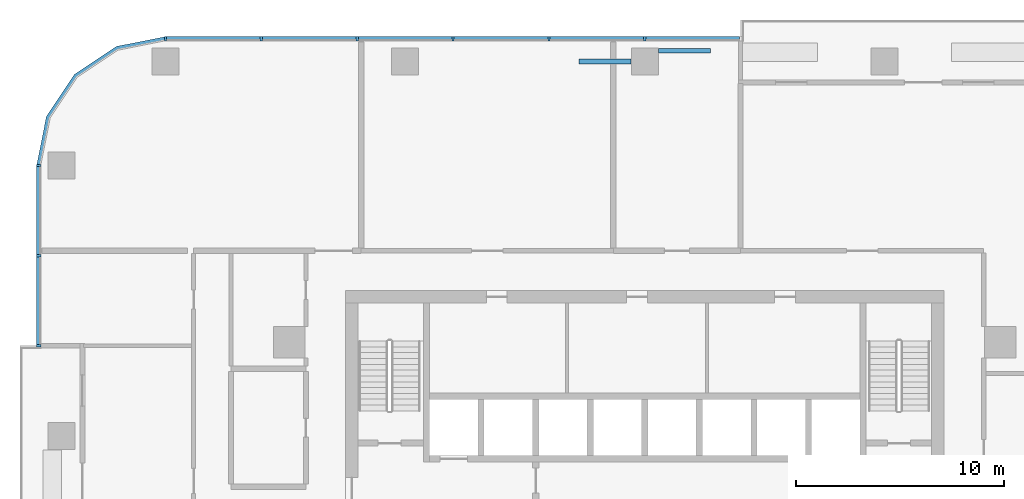
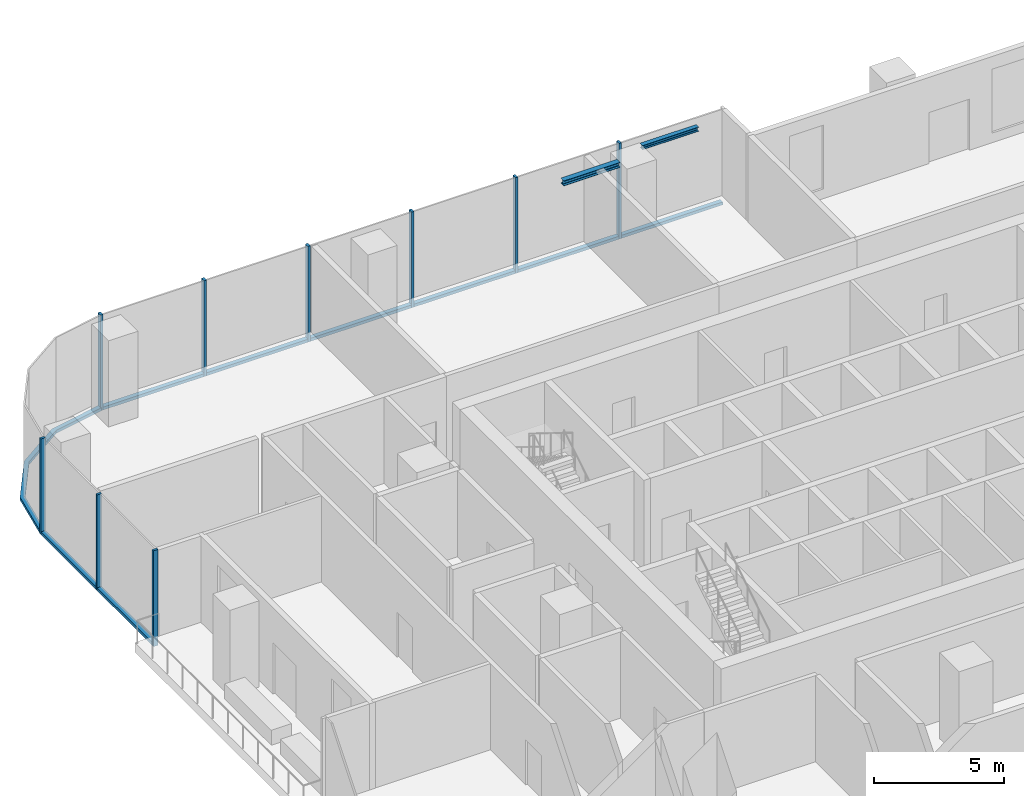
# One storey, part 4 of 15: 18 members, 2 beams, 3 elements without a shape of their own.
"""IFC4 building model written with IfcOpenShell, lengths in metres."""

from ifc_helpers import new_model, si_unit, direction, frame, origin, origin_2d, place, context, subcontext, project, spatial, polyline, rectangle, i_section, outline, extrude, material, material_profile, profile_set, type_object, element, aggregate, save


model = new_model("IFC4")

# Units and contexts
model_context = context("Model", 3, precision=1e-05, world=origin(), true_north=direction((0.0, 1.0)))
body_context = subcontext(model_context, "Body", "Model", "MODEL_VIEW")
ifc_project = project(units=[si_unit("LENGTHUNIT", "METRE"), si_unit("AREAUNIT", "SQUARE_METRE"), si_unit("VOLUMEUNIT", "CUBIC_METRE"), si_unit("PLANEANGLEUNIT", "RADIAN"), si_unit("MASSUNIT", "GRAM", prefix="KILO")], contexts=[model_context])

# Site, building, storey
site_placement = place(None, origin())
site = spatial("IfcSite", under=ifc_project, at=site_placement, CompositionType="ELEMENT")
building_placement = place(site_placement, origin())
building = spatial("IfcBuilding", under=site, at=building_placement, Name="Mopane Tessera Tower", CompositionType="ELEMENT")
storey_placement = place(building_placement, frame((0.0, 0.0, 117.10009765625)))
storey = spatial("IfcBuildingStorey", under=building, at=storey_placement, Name="L23", CompositionType="ELEMENT", Elevation=117.10009765625)

# Curtain wall, members
ifc_material_1 = material(Name="Aluminium frame", Category="aluminium")
curtain_wall_type = type_object("IfcCurtainWallType", Name="Lower tower unitised wall", PredefinedType="NOTDEFINED", material=ifc_material_1)
curtain_wall_1_placement = place(storey_placement, origin())
curtain_wall_1 = element("IfcCurtainWall", 1, at=curtain_wall_1_placement, inside=storey, type_object=curtain_wall_type, Name="e:cw:L23:N:4", PredefinedType="NOTDEFINED")
ifc_material_2 = material(Name="Aluminium frame", Category="aluminium")
ifc_material_profile_1 = material_profile(ifc_material_2, rectangle(XDim=0.110107421875, YDim=0.199951171875, at=origin_2d()))
ifc_profile_set_1 = profile_set([ifc_material_profile_1], Name="Aluminium frame")
member_type_1 = type_object("IfcMemberType", Name="Aluminium mullion 110 x 200", PredefinedType="MULLION", material=ifc_profile_set_1)
member_1_placement = place(storey_placement, frame((0.0, 25.60009765625, -0.4501953125), z_axis=(0.0, 0.0, 1.0), x_axis=(-1.0, 0.0, 0.0)))
member_1 = element("IfcMember", 2, at=member_1_placement, type_object=member_type_1, Name="e:cw:L23:N:4:mu5", PredefinedType="MULLION", context=body_context, shape_type="SweptSolid", body=[
    extrude(rectangle(XDim=0.110107421875, YDim=0.199951171875, at=origin_2d()), origin(), (0.0, 0.0, 1.0), 4.5),
])
member_2_placement = place(storey_placement, frame((-4.610107421875, 25.60009765625, -0.4501953125), z_axis=(0.0, 0.0, 1.0), x_axis=(-1.0, 0.0, 0.0)))
member_2 = element("IfcMember", 3, at=member_2_placement, type_object=member_type_1, Name="e:cw:L23:N:4:mu6", PredefinedType="MULLION", context=body_context, shape_type="SweptSolid", body=[
    extrude(rectangle(XDim=0.110107421875, YDim=0.199951171875, at=origin_2d()), origin(), (0.0, 0.0, 1.0), 4.5),
])
member_3_placement = place(storey_placement, frame((-9.219970703125, 25.60009765625, -0.4501953125), z_axis=(0.0, 0.0, 1.0), x_axis=(-1.0, 0.0, 0.0)))
member_3 = element("IfcMember", 4, at=member_3_placement, type_object=member_type_1, Name="e:cw:L23:N:4:mu7", PredefinedType="MULLION", context=body_context, shape_type="SweptSolid", body=[
    extrude(rectangle(XDim=0.110107421875, YDim=0.199951171875, at=origin_2d()), origin(), (0.0, 0.0, 1.0), 4.5),
])
member_4_placement = place(storey_placement, frame((-13.830078125, 25.60009765625, -0.4501953125), z_axis=(0.0, 0.0, 1.0), x_axis=(-1.0, 0.0, 0.0)))
member_4 = element("IfcMember", 5, at=member_4_placement, type_object=member_type_1, Name="e:cw:L23:N:4:mu8", PredefinedType="MULLION", context=body_context, shape_type="SweptSolid", body=[
    extrude(rectangle(XDim=0.110107421875, YDim=0.199951171875, at=origin_2d()), origin(), (0.0, 0.0, 1.0), 4.5),
])
member_5_placement = place(storey_placement, frame((-18.43994140625, 25.60009765625, -0.4501953125), z_axis=(0.0, 0.0, 1.0), x_axis=(-1.0, 0.0, 0.0)))
member_5 = element("IfcMember", 6, at=member_5_placement, type_object=member_type_1, Name="e:cw:L23:N:4:mu9", PredefinedType="MULLION", context=body_context, shape_type="SweptSolid", body=[
    extrude(rectangle(XDim=0.110107421875, YDim=0.199951171875, at=origin_2d()), origin(), (0.0, 0.0, 1.0), 4.5),
])
member_6_placement = place(storey_placement, frame((-23.050048828125, 25.60009765625, -0.4501953125), z_axis=(0.0, 0.0, 1.0), x_axis=(-1.0, 0.0, 0.0)))
member_6 = element("IfcMember", 7, at=member_6_placement, type_object=member_type_1, Name="e:cw:L23:N:4:mu10", PredefinedType="MULLION", context=body_context, shape_type="SweptSolid", body=[
    extrude(rectangle(XDim=0.110107421875, YDim=0.199951171875, at=origin_2d()), origin(), (0.0, 0.0, 1.0), 4.5),
])

curtain_wall_2_placement = place(storey_placement, origin())
curtain_wall_2 = element("IfcCurtainWall", 8, at=curtain_wall_2_placement, inside=storey, type_object=curtain_wall_type, Name="e:cw:L23:W:0", PredefinedType="NOTDEFINED")
member_7_placement = place(storey_placement, frame((-29.14990234375, 19.5, -0.4501953125), z_axis=(0.0, 0.0, 1.0), x_axis=(0.0, -1.0, 0.0)))
member_7 = element("IfcMember", 9, at=member_7_placement, type_object=member_type_1, Name="e:cw:L23:W:0:mu0", PredefinedType="MULLION", context=body_context, shape_type="SweptSolid", body=[
    extrude(rectangle(XDim=0.110107421875, YDim=0.199951171875, at=origin_2d()), origin(), (0.0, 0.0, 1.0), 4.5),
])
member_8_placement = place(storey_placement, frame((-29.14990234375, 15.166748046875, -0.4501953125), z_axis=(0.0, 0.0, 1.0), x_axis=(0.0, -1.0, 0.0)))
member_8 = element("IfcMember", 10, at=member_8_placement, type_object=member_type_1, Name="e:cw:L23:W:0:mu1", PredefinedType="MULLION", context=body_context, shape_type="SweptSolid", body=[
    extrude(rectangle(XDim=0.110107421875, YDim=0.199951171875, at=origin_2d()), origin(), (0.0, 0.0, 1.0), 4.5),
])
member_9_placement = place(storey_placement, frame((-29.14990234375, 10.833251953125, -0.4501953125), z_axis=(0.0, 0.0, 1.0), x_axis=(0.0, -1.0, 0.0)))
member_9 = element("IfcMember", 11, at=member_9_placement, type_object=member_type_1, Name="e:cw:L23:W:0:mu2", PredefinedType="MULLION", context=body_context, shape_type="SweptSolid", body=[
    extrude(rectangle(XDim=0.110107421875, YDim=0.199951171875, at=origin_2d()), origin(), (0.0, 0.0, 1.0), 4.5),
])

# Member
ifc_material_3 = material(Name="Aluminium frame", Category="aluminium")
ifc_material_profile_2 = material_profile(ifc_material_3, rectangle(XDim=0.199951171875, YDim=0.139892578125, at=origin_2d()))
ifc_profile_set_2 = profile_set([ifc_material_profile_2], Name="Aluminium frame")
member_type_2 = type_object("IfcMemberType", Name="Aluminium transom 200 x 140", PredefinedType="USERDEFINED", material=ifc_profile_set_2)
member_10_placement = place(storey_placement, frame((4.554931640625, 25.60009765625, -0.380126953125), z_axis=(-1.0, 0.0, 0.0), x_axis=(0.0, -1.0, 0.0)))
member_10 = element("IfcMember", 12, at=member_10_placement, type_object=member_type_2, Name="e:cw:L23:N:4:tr4", ObjectType="TRANSOM", PredefinedType="USERDEFINED", context=body_context, shape_type="SweptSolid", body=[
    extrude(rectangle(XDim=0.199951171875, YDim=0.139892578125, at=origin_2d()), origin(), (0.0, 0.0, 1.0), 4.5),
])

member_11_placement = place(storey_placement, frame((-0.054931640625, 25.60009765625, -0.380126953125), z_axis=(-1.0, 0.0, 0.0), x_axis=(0.0, -1.0, 0.0)))
member_11 = element("IfcMember", 13, at=member_11_placement, type_object=member_type_2, Name="e:cw:L23:N:4:tr5", ObjectType="TRANSOM", PredefinedType="USERDEFINED", context=body_context, shape_type="SweptSolid", body=[
    extrude(rectangle(XDim=0.199951171875, YDim=0.139892578125, at=origin_2d()), origin(), (0.0, 0.0, 1.0), 4.5),
])

member_12_placement = place(storey_placement, frame((-4.6650390625, 25.60009765625, -0.380126953125), z_axis=(-1.0, 0.0, 0.0), x_axis=(0.0, -1.0, 0.0)))
member_12 = element("IfcMember", 14, at=member_12_placement, type_object=member_type_2, Name="e:cw:L23:N:4:tr6", ObjectType="TRANSOM", PredefinedType="USERDEFINED", context=body_context, shape_type="SweptSolid", body=[
    extrude(rectangle(XDim=0.199951171875, YDim=0.139892578125, at=origin_2d()), origin(), (0.0, 0.0, 1.0), 4.5),
])

member_13_placement = place(storey_placement, frame((-9.27490234375, 25.60009765625, -0.380126953125), z_axis=(-1.0, 0.0, 0.0), x_axis=(0.0, -1.0, 0.0)))
member_13 = element("IfcMember", 15, at=member_13_placement, type_object=member_type_2, Name="e:cw:L23:N:4:tr7", ObjectType="TRANSOM", PredefinedType="USERDEFINED", context=body_context, shape_type="SweptSolid", body=[
    extrude(rectangle(XDim=0.199951171875, YDim=0.139892578125, at=origin_2d()), origin(), (0.0, 0.0, 1.0), 4.5),
])

member_14_placement = place(storey_placement, frame((-13.885009765625, 25.60009765625, -0.380126953125), z_axis=(-1.0, 0.0, 0.0), x_axis=(0.0, -1.0, 0.0)))
member_14 = element("IfcMember", 16, at=member_14_placement, type_object=member_type_2, Name="e:cw:L23:N:4:tr8", ObjectType="TRANSOM", PredefinedType="USERDEFINED", context=body_context, shape_type="SweptSolid", body=[
    extrude(rectangle(XDim=0.199951171875, YDim=0.139892578125, at=origin_2d()), origin(), (0.0, 0.0, 1.0), 4.5),
])

member_15_placement = place(storey_placement, frame((-18.4951171875, 25.60009765625, -0.380126953125), z_axis=(-1.0, 0.0, 0.0), x_axis=(0.0, -1.0, 0.0)))
member_15 = element("IfcMember", 17, at=member_15_placement, type_object=member_type_2, Name="e:cw:L23:N:4:tr9", ObjectType="TRANSOM", PredefinedType="USERDEFINED", context=body_context, shape_type="SweptSolid", body=[
    extrude(rectangle(XDim=0.199951171875, YDim=0.139892578125, at=origin_2d()), origin(), (0.0, 0.0, 1.0), 4.5),
])

aggregate(curtain_wall_1, [member_1, member_2, member_3, member_4, member_5, member_6, member_10, member_11, member_12, member_13, member_14, member_15])

# Curtain wall, member
curtain_wall_3_placement = place(storey_placement, origin())
curtain_wall_3 = element("IfcCurtainWall", 18, at=curtain_wall_3_placement, inside=storey, type_object=curtain_wall_type, Name="e:cw:L23:CN", PredefinedType="NOTDEFINED")
member_16_placement = place(storey_placement, frame((0.0, 0.0, -0.4501953125)))
member_16 = element("IfcMember", 19, at=member_16_placement, type_object=member_type_2, Name="e:cw:L23:CN:tr", ObjectType="TRANSOM", PredefinedType="USERDEFINED", context=body_context, shape_type="SweptSolid", body=[
    extrude(outline(polyline([(-23.050048828125, 25.5), (-25.34619140625, 25.043212890625), (-27.292724609375, 23.74267578125), (-28.59326171875, 21.796142578125), (-29.050048828125, 19.5), (-29.25, 19.5), (-28.778076171875, 21.87255859375), (-27.43408203125, 23.884033203125), (-25.422607421875, 25.22802734375), (-23.050048828125, 25.699951171875), (-23.050048828125, 25.5)])), origin(), (0.0, 0.0, 1.0), 0.14013671875),
])
aggregate(curtain_wall_3, [member_16])

# Member
member_17_placement = place(storey_placement, frame((-29.14990234375, 19.445068359375, -0.380126953125), z_axis=(0.0, -1.0, 0.0), x_axis=(1.0, 0.0, 0.0)))
member_17 = element("IfcMember", 20, at=member_17_placement, type_object=member_type_2, Name="e:cw:L23:W:0:tr0", ObjectType="TRANSOM", PredefinedType="USERDEFINED", context=body_context, shape_type="SweptSolid", body=[
    extrude(rectangle(XDim=0.199951171875, YDim=0.139892578125, at=origin_2d()), origin(), (0.0, 0.0, 1.0), 4.223388671875),
])

member_18_placement = place(storey_placement, frame((-29.14990234375, 15.111572265625, -0.380126953125), z_axis=(0.0, -1.0, 0.0), x_axis=(1.0, 0.0, 0.0)))
member_18 = element("IfcMember", 21, at=member_18_placement, type_object=member_type_2, Name="e:cw:L23:W:0:tr1", ObjectType="TRANSOM", PredefinedType="USERDEFINED", context=body_context, shape_type="SweptSolid", body=[
    extrude(rectangle(XDim=0.199951171875, YDim=0.139892578125, at=origin_2d()), origin(), (0.0, 0.0, 1.0), 4.22314453125),
])

aggregate(curtain_wall_2, [member_7, member_8, member_9, member_17, member_18])

# Beams
ifc_material_4 = material(Name="Structural steel S460", Category="steel")
ifc_material_profile_3 = material_profile(ifc_material_4, i_section(OverallWidth=0.239990234375, OverallDepth=0.239990234375, WebThickness=0.010009765625, FlangeThickness=0.01708984375, FilletRadius=0.02099609375, at=origin_2d()))
ifc_profile_set_3 = profile_set([ifc_material_profile_3], Name="Structural steel S460")
beam_type_1 = type_object("IfcBeamType", Name="Terrace spandrel beam HE 240 B", PredefinedType="SPANDREL", material=ifc_profile_set_3)
beam_1_placement = place(storey_placement, frame((-0.653076171875, 24.5, 3.929931640625), z_axis=(-1.0, 0.0, 0.0), x_axis=(0.0, -1.0, 0.0)))
element("IfcBeam", 22, at=beam_1_placement, inside=storey, type_object=beam_type_1, Name="Terrace spandrel beam N1 L24", PredefinedType="SPANDREL", context=body_context, shape_type="SweptSolid", body=[
    extrude(i_section(OverallWidth=0.239990234375, OverallDepth=0.239990234375, WebThickness=0.010009765625, FlangeThickness=0.01708984375, FilletRadius=0.02099609375, at=origin_2d()), origin(), (0.0, 0.0, 1.0), 2.5),
])
ifc_material_5 = material(Name="Structural steel S460", Category="steel")
ifc_material_profile_4 = material_profile(ifc_material_5, i_section(OverallWidth=0.199951171875, OverallDepth=0.199951171875, WebThickness=0.009033203125, FlangeThickness=0.014892578125, FilletRadius=0.01806640625, at=origin_2d()))
ifc_profile_set_4 = profile_set([ifc_material_profile_4], Name="Structural steel S460")
beam_type_2 = type_object("IfcBeamType", Name="Terrace trimmer beam HE 200 B", PredefinedType="BEAM", material=ifc_profile_set_4)
beam_2_placement = place(storey_placement, frame((0.653076171875, 25.02001953125, 3.949951171875), z_axis=(1.0, 0.0, 0.0), x_axis=(0.0, 1.0, 0.0)))
element("IfcBeam", 23, at=beam_2_placement, inside=storey, type_object=beam_type_2, Name="Terrace trimmer beam N1 L24", PredefinedType="BEAM", context=body_context, shape_type="SweptSolid", body=[
    extrude(i_section(OverallWidth=0.199951171875, OverallDepth=0.199951171875, WebThickness=0.009033203125, FlangeThickness=0.014892578125, FilletRadius=0.01806640625, at=origin_2d()), origin(), (0.0, 0.0, 1.0), 2.5),
])

save(model, "model.ifc")
